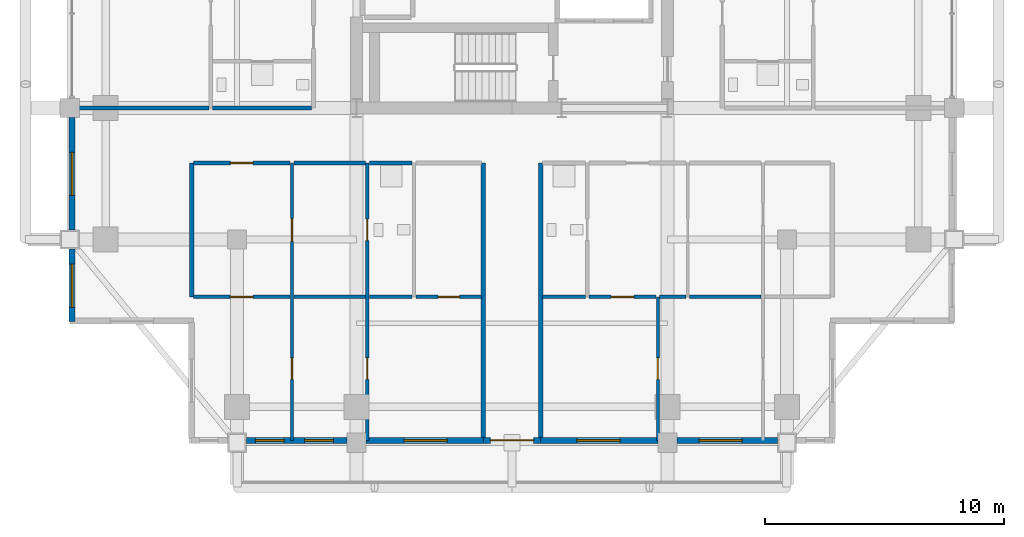
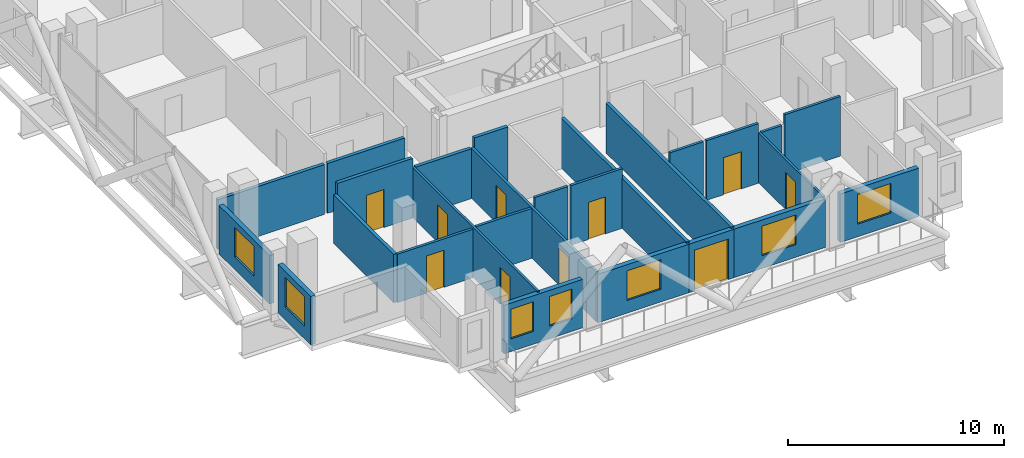
# One storey, part 16 of 23: 26 walls, 10 doors, 7 windows, 17 openings.
"""IFC4 building model written with IfcOpenShell, lengths in metres."""

import ifcopenshell
import ifcopenshell.guid

model = None  # the IFC model being written
_history = None  # IfcOwnerHistory: only IFC2X3 demands one
_inside = {}  # id of a spatial element -> (the spatial element, [elements in it])
_under = {}  # id of a project, library or spatial element -> (it, [spatial elements below it])
_declared = {}  # id of a project -> (the project, [libraries it declares])
_typed = {}  # id of a type object -> (the type object, [elements of that type])
_made_of = {}  # id of a material, layer set ... -> (it, [elements and type objects made of it])


def new_model(schema):
    """Start an empty IFC model of exactly this schema.

    Asked for "IFC4X3", IfcOpenShell would pick the latest addendum, in which some entities
    have other attributes; the version numbers below select the first issue.
    IFC2X3 requires an IfcOwnerHistory on every rooted entity: one is made here for all.
    """
    global model, _history
    if schema == "IFC4X3":
        model = ifcopenshell.file(schema_version=(4, 3, 0, 0))
    else:
        model = ifcopenshell.file(schema=schema)
    _inside.clear()
    _under.clear()
    _declared.clear()
    _typed.clear()
    _made_of.clear()
    _history = None
    if model.schema == "IFC2X3":
        org = make("IfcOrganization", Name="unknown")
        user = make(
            "IfcPersonAndOrganization",
            ThePerson=make("IfcPerson", FamilyName="unknown"),
            TheOrganization=org,
        )
        app = make(
            "IfcApplication",
            ApplicationDeveloper=org,
            Version="unknown",
            ApplicationFullName="unknown",
            ApplicationIdentifier="unknown",
        )
        _history = make(
            "IfcOwnerHistory",
            OwningUser=user,
            OwningApplication=app,
            ChangeAction="ADDED",
            CreationDate=0,
        )
    return model


def make(cls, **values):
    """One entity of the class cls with the attributes given. An attribute that is None is left unset."""
    return model.create_entity(
        cls, **{name: value for name, value in values.items() if value is not None}
    )


def rooted(cls, **values):
    """An entity with a GlobalId (a new one), such as an element, a storey or a relation."""
    return make(cls, GlobalId=ifcopenshell.guid.new(), OwnerHistory=_history, **values)


def si_unit(unit_type, name, prefix=None):
    """IfcSIUnit, for example si_unit("LENGTHUNIT", "METRE", prefix="MILLI")."""
    return make("IfcSIUnit", UnitType=unit_type, Prefix=prefix, Name=name)


def assignment(units):
    """IfcUnitAssignment: the units of a project."""
    return None if units is None else make("IfcUnitAssignment", Units=units)


def point(xyz):
    """IfcCartesianPoint."""
    return None if xyz is None else make("IfcCartesianPoint", Coordinates=xyz)


def direction(xyz):
    """IfcDirection."""
    return None if xyz is None else make("IfcDirection", DirectionRatios=xyz)


def frame(location, z_axis=None, x_axis=None):
    """IfcAxis2Placement3D, a coordinate frame: its origin and axes. An axis left out is left unset."""
    return make(
        "IfcAxis2Placement3D",
        Location=point(location),
        Axis=direction(z_axis),
        RefDirection=direction(x_axis),
    )


def frame_2d(location, x_axis=None):
    """IfcAxis2Placement2D, a coordinate frame in the plane: its origin and x axis."""
    return make(
        "IfcAxis2Placement2D", Location=point(location), RefDirection=direction(x_axis)
    )


def origin():
    """The frame at (0, 0, 0) with its axes left unset."""
    return frame((0.0, 0.0, 0.0))


def place(relative_to, where):
    """IfcLocalPlacement: puts the frame where relative to a parent placement (None: the world)."""
    return make(
        "IfcLocalPlacement", PlacementRelTo=relative_to, RelativePlacement=where
    )


def context(
    kind, dimensions, precision=None, world=None, true_north=None, identifier=None
):
    """IfcGeometricRepresentationContext, for example the 3D "Model" context."""
    return make(
        "IfcGeometricRepresentationContext",
        ContextIdentifier=identifier,
        ContextType=kind,
        CoordinateSpaceDimension=dimensions,
        Precision=precision,
        WorldCoordinateSystem=world,
        TrueNorth=true_north,
    )


def subcontext(parent, identifier, kind, view, scale=None):
    """IfcGeometricRepresentationSubContext, for example "Body" below "Model"."""
    return make(
        "IfcGeometricRepresentationSubContext",
        ContextIdentifier=identifier,
        ContextType=kind,
        ParentContext=parent,
        TargetScale=scale,
        TargetView=view,
    )


def project(units=None, contexts=None):
    """IfcProject with its units and contexts."""
    return rooted(
        "IfcProject",
        Name="project",
        RepresentationContexts=contexts,
        UnitsInContext=assignment(units),
    )


def spatial(cls, under=None, at=None, **own):
    """A site, building, storey or space (cls), placed at a placement, below another one or the project."""
    s = rooted(cls, ObjectPlacement=at, **own)
    if under is not None:
        _under.setdefault(under.id(), (under, []))[1].append(s)
    return s


def profile(cls, at=None, kind="AREA", **sizes):
    """A parametric profile (cls). Its sizes go by their IFC names, for example OverallWidth=200.0."""
    return make(cls, ProfileType=kind, Position=at, **sizes)


def rectangle(**sizes):
    """IfcRectangleProfileDef."""
    return profile("IfcRectangleProfileDef", **sizes)


def extrude(swept, where, along, depth):
    """IfcExtrudedAreaSolid: the profile swept, set in the frame where, extruded along a direction by depth."""
    return make(
        "IfcExtrudedAreaSolid",
        SweptArea=swept,
        Position=where,
        ExtrudedDirection=direction(along),
        Depth=depth,
    )


def shape(context_of_items, identifier, shape_type, items):
    """IfcShapeRepresentation: the items that make up one representation, for example the "Body"."""
    return make(
        "IfcShapeRepresentation",
        ContextOfItems=context_of_items,
        RepresentationIdentifier=identifier,
        RepresentationType=shape_type,
        Items=items,
    )


def material(Name=None, Category=None):
    """IfcMaterial."""
    return make("IfcMaterial", Name=Name, Category=Category)


def layer(
    of_material, thickness, ventilated=None, Name=None, Category=None, Priority=None
):
    """IfcMaterialLayer: one layer of a wall or slab, of a material (None: an air gap)."""
    return make(
        "IfcMaterialLayer",
        Material=of_material,
        LayerThickness=thickness,
        IsVentilated=ventilated,
        Name=Name,
        Category=Category,
        Priority=Priority,
    )


def layer_set(layers, Name=None):
    """IfcMaterialLayerSet."""
    return make("IfcMaterialLayerSet", MaterialLayers=layers, LayerSetName=Name)


def made_of(thing, what):
    """Note that an element or type object is made of a material, layer set ...; save() writes the relation."""
    if what is not None:
        _made_of.setdefault(what.id(), (what, []))[1].append(thing)
    return thing


def type_object(cls, material=None, **own):
    """A type object (cls), such as IfcWallType, which elements share."""
    return made_of(rooted(cls, **own), material)


def element(
    cls,
    number,
    at=None,
    inside=None,
    cuts=None,
    type_object=None,
    material=None,
    context=None,
    identifier="Body",
    shape_type=None,
    held_by="IfcProductDefinitionShape",
    body=None,
    shapes=None,
    **own,
):
    """One element of the class cls, such as IfcWall. Its Tag is "e" and its number.

    at: its placement. inside: the storey or other place that contains it. cuts: it is an
    opening in that element (IfcRelVoidsElement). A single representation is given by context,
    identifier, shape_type and body (its items); several are given by shapes. held_by: the class
    of the entity that holds the representations. save() writes the other relations.
    """
    e = rooted(cls, Tag="e%d" % number, ObjectPlacement=at, **own)
    if body is not None:
        shapes = [shape(context, identifier, shape_type, body)]
    if shapes is not None:
        e.Representation = make(held_by, Representations=shapes)
    if inside is not None:
        _inside.setdefault(inside.id(), (inside, []))[1].append(e)
    if cuts is not None:
        rooted(
            "IfcRelVoidsElement", RelatingBuildingElement=cuts, RelatedOpeningElement=e
        )
    if type_object is not None:
        _typed.setdefault(type_object.id(), (type_object, []))[1].append(e)
    return made_of(e, material)


def fill(opening, filler):
    """IfcRelFillsElement: the door or window that sits in an opening."""
    return rooted(
        "IfcRelFillsElement",
        RelatingOpeningElement=opening,
        RelatedBuildingElement=filler,
    )


def aggregate(whole, parts):
    """IfcRelAggregates: a whole, such as a stair, and the parts it consists of."""
    return rooted("IfcRelAggregates", RelatingObject=whole, RelatedObjects=parts)


def save(model, path):
    """Write the relations noted so far, then the file.

    IfcRelAggregates (storeys below a building ...), IfcRelContainedInSpatialStructure (elements
    in a storey), IfcRelDefinesByType, IfcRelAssociatesMaterial and IfcRelDeclares: one each for
    every whole, place, type object, material and project.
    """
    for whole, parts in _under.values():
        aggregate(whole, parts)
    for where, things in _inside.values():
        rooted(
            "IfcRelContainedInSpatialStructure",
            RelatedElements=things,
            RelatingStructure=where,
        )
    for kind, things in _typed.values():
        rooted("IfcRelDefinesByType", RelatedObjects=things, RelatingType=kind)
    for what, things in _made_of.values():
        rooted("IfcRelAssociatesMaterial", RelatedObjects=things, RelatingMaterial=what)
    for by, libraries in _declared.values():
        rooted("IfcRelDeclares", RelatingContext=by, RelatedDefinitions=libraries)
    model.write(path)


model = new_model("IFC4")

# Units and contexts
model_context = context("Model", 3, precision=1e-05, world=origin(), true_north=direction((0.0, 1.0)))
body_context = subcontext(model_context, "Body", "Model", "MODEL_VIEW")
ifc_project = project(units=[si_unit("LENGTHUNIT", "METRE"), si_unit("AREAUNIT", "SQUARE_METRE"), si_unit("VOLUMEUNIT", "CUBIC_METRE"), si_unit("PLANEANGLEUNIT", "RADIAN"), si_unit("MASSUNIT", "GRAM", prefix="KILO")], contexts=[model_context])

# Site, building, storey
site_placement = place(None, origin())
site = spatial("IfcSite", under=ifc_project, at=site_placement, CompositionType="ELEMENT")
building_placement = place(site_placement, origin())
building = spatial("IfcBuilding", under=site, at=building_placement, Name="Barlavira Tower and Art Museum", CompositionType="ELEMENT")
storey_placement = place(building_placement, frame((0.0, 0.0, 165.60009765625)))
storey = spatial("IfcBuildingStorey", under=building, at=storey_placement, Name="L42", CompositionType="ELEMENT", Elevation=165.60009765625)

# Wall, openings, doors
ifc_material_1 = material(Name="Gypsum acoustic stud partition", Category="gypsum")
ifc_layer_1 = layer(ifc_material_1, 0.1201171875, Name="Gypsum acoustic stud partition")
ifc_layer_set_1 = layer_set([ifc_layer_1], Name="Gypsum acoustic stud partition")
wall_type_1 = type_object("IfcWallType", Name="Apartment Internal Acoustic Partition 120", PredefinedType="PARTITIONING", material=ifc_layer_set_1)
wall_1_placement = place(storey_placement, frame((-9.199951171875, -21.39990234375, 0.0), z_axis=(0.0, 0.0, 1.0), x_axis=(0.0, 1.0, 0.0)))
wall_1 = element("IfcWall", 1, at=wall_1_placement, inside=storey, type_object=wall_type_1, Name="L42 Partition Wall 4", PredefinedType="PARTITIONING", context=body_context, shape_type="SweptSolid", body=[
    extrude(rectangle(XDim=11.599853515625, YDim=0.1201171875, at=frame_2d((5.7998046875, 0.0))), origin(), (0.0, 0.0, 1.0), 2.825927734375),
])
opening_1_placement = place(wall_1_placement, frame((8.324951171875, 0.0, 0.0)))
opening_1 = element("IfcOpeningElement", 2, at=opening_1_placement, cuts=wall_1, Name="Opening D-02", PredefinedType="OPENING", context=body_context, shape_type="SweptSolid", body=[
    extrude(rectangle(XDim=0.949951171875, YDim=2.10009765625, at=frame_2d((0.47509765625, 1.050048828125))), frame((0.0, 0.070068359375, 0.0), z_axis=(0.0, -1.0, 0.0), x_axis=(1.0, 0.0, 0.0)), (0.0, 0.0, 1.0), 0.14013671875),
])
opening_2_placement = place(wall_1_placement, frame((2.550048828125, 0.0, 0.0)))
opening_2 = element("IfcOpeningElement", 3, at=opening_2_placement, cuts=wall_1, Name="Opening D-01", PredefinedType="OPENING", context=body_context, shape_type="SweptSolid", body=[
    extrude(rectangle(XDim=0.89990234375, YDim=2.10009765625, at=frame_2d((0.449951171875, 1.050048828125))), frame((0.0, 0.070068359375, 0.0), z_axis=(0.0, -1.0, 0.0), x_axis=(1.0, 0.0, 0.0)), (0.0, 0.0, 1.0), 0.14013671875),
])
ifc_material_2 = material(Name="Engineered coastal hardwood", Category="wood")
door_type_1 = type_object("IfcDoorType", Name="Internal Bedroom Timber Flush Door 900x2100", OperationType="NOTDEFINED", PredefinedType="DOOR", material=ifc_material_2)
door_1_placement = place(opening_2_placement, origin())
door_1 = element("IfcDoor", 4, at=door_1_placement, inside=storey, type_object=door_type_1, Name="Apartment SW1 Bedroom 1 Door", OperationType="SINGLE_SWING_RIGHT", OverallHeight=2.10009765625, OverallWidth=0.89990234375, PredefinedType="DOOR", context=body_context, shape_type="SweptSolid", body=[
    extrude(rectangle(XDim=0.89990234375, YDim=2.10009765625, at=frame_2d((0.449951171875, 1.050048828125))), frame((0.0, 0.02490234375, 0.0), z_axis=(0.0, -1.0, 0.0), x_axis=(1.0, 0.0, 0.0)), (0.0, 0.0, 1.0), 0.050048828125),
])
fill(opening_2, door_1)
door_type_2 = type_object("IfcDoorType", Name="Living and Salon Glazed-Leaf Door 950x2100", OperationType="NOTDEFINED", PredefinedType="DOOR", material=ifc_material_2)
door_2_placement = place(opening_1_placement, origin())
door_2 = element("IfcDoor", 5, at=door_2_placement, inside=storey, type_object=door_type_2, Name="Apartment SW1 Kitchen Door", OperationType="SINGLE_SWING_RIGHT", OverallHeight=2.10009765625, OverallWidth=0.949951171875, PredefinedType="DOOR", context=body_context, shape_type="SweptSolid", body=[
    extrude(rectangle(XDim=0.949951171875, YDim=2.10009765625, at=frame_2d((0.47509765625, 1.050048828125))), frame((0.0, 0.02490234375, 0.0), z_axis=(0.0, -1.0, 0.0), x_axis=(1.0, 0.0, 0.0)), (0.0, 0.0, 1.0), 0.050048828125),
])
fill(opening_1, door_2)

# Wall, opening, door
wall_2_placement = place(storey_placement, frame((6.10009765625, -21.39990234375, 0.0), z_axis=(0.0, 0.0, 1.0), x_axis=(0.0, 1.0, 0.0)))
wall_2 = element("IfcWall", 6, at=wall_2_placement, inside=storey, type_object=wall_type_1, Name="L42 Partition Wall 20", PredefinedType="PARTITIONING", context=body_context, shape_type="SweptSolid", body=[
    extrude(rectangle(XDim=6.0, YDim=0.1201171875, at=frame_2d((3.0, 0.0))), origin(), (0.0, 0.0, 1.0), 2.825927734375),
])
opening_3_placement = place(wall_2_placement, frame((2.550048828125, 0.0, 0.0)))
opening_3 = element("IfcOpeningElement", 7, at=opening_3_placement, cuts=wall_2, Name="Opening D-01", PredefinedType="OPENING", context=body_context, shape_type="SweptSolid", body=[
    extrude(rectangle(XDim=0.89990234375, YDim=2.10009765625, at=frame_2d((0.449951171875, 1.050048828125))), frame((0.0, 0.070068359375, 0.0), z_axis=(0.0, -1.0, 0.0), x_axis=(1.0, 0.0, 0.0)), (0.0, 0.0, 1.0), 0.14013671875),
])
door_3_placement = place(opening_3_placement, origin())
door_3 = element("IfcDoor", 8, at=door_3_placement, inside=storey, type_object=door_type_1, Name="Apartment SE1 Bedroom 1 Door", OperationType="SINGLE_SWING_LEFT", OverallHeight=2.10009765625, OverallWidth=0.89990234375, PredefinedType="DOOR", context=body_context, shape_type="SweptSolid", body=[
    extrude(rectangle(XDim=0.89990234375, YDim=2.10009765625, at=frame_2d((0.449951171875, 1.050048828125))), frame((0.0, 0.02490234375, 0.0), z_axis=(0.0, -1.0, 0.0), x_axis=(1.0, 0.0, 0.0)), (0.0, 0.0, 1.0), 0.050048828125),
])
fill(opening_3, door_3)

# Walls
ifc_layer_2 = layer(ifc_material_1, 0.179931640625, Name="Gypsum acoustic stud partition")
ifc_layer_set_2 = layer_set([ifc_layer_2], Name="Gypsum acoustic stud partition")
wall_type_2 = type_object("IfcWallType", Name="Inter-Tenancy Party Partition Wall 180", PredefinedType="PARTITIONING", material=ifc_layer_set_2)
wall_3_placement = place(storey_placement, frame((-13.39990234375, -15.39990234375, 0.0), z_axis=(0.0, 0.0, 1.0), x_axis=(0.0, 1.0, 0.0)))
element("IfcWall", 9, at=wall_3_placement, inside=storey, type_object=wall_type_2, Name="L42 Partition Wall 1", PredefinedType="PARTITIONING", context=body_context, shape_type="SweptSolid", body=[
    extrude(rectangle(XDim=5.599853515625, YDim=0.179931640625, at=frame_2d((2.7998046875, 0.0))), origin(), (0.0, 0.0, 1.0), 2.747802734375),
])
for number, where, z_axis, x_axis, name in (
    (10, (-1.199951171875, -21.39990234375, 0.0), (0.0, 0.0, 1.0), (0.0, 1.0, 0.0), "L42 Partition Wall 13"),
    (11, (1.199951171875, -21.39990234375, 0.0), (0.0, 0.0, 1.0), (0.0, 1.0, 0.0), "L42 Partition Wall 15"),
):
    element("IfcWall", number, at=place(storey_placement, frame(where, z_axis=z_axis, x_axis=x_axis)), inside=storey, type_object=wall_type_2, Name=name, PredefinedType="PARTITIONING", context=body_context, shape_type="SweptSolid", body=[
        extrude(rectangle(XDim=11.599853515625, YDim=0.179931640625, at=frame_2d((5.7998046875, 0.0))), origin(), (0.0, 0.0, 1.0), 2.825927734375),
    ])

# Wall, opening, door
wall_4_placement = place(storey_placement, frame((-13.320068359375, -9.800048828125, 0.0), z_axis=(0.0, 0.0, 1.0), x_axis=(1.0, 0.0, 0.0)))
wall_4 = element("IfcWall", 12, at=wall_4_placement, inside=storey, type_object=wall_type_2, Name="L42 Partition Wall 38", PredefinedType="PARTITIONING", context=body_context, shape_type="SweptSolid", body=[
    extrude(rectangle(XDim=4.0400390625, YDim=0.179931640625, at=frame_2d((2.02001953125, 0.0))), origin(), (0.0, 0.0, 1.0), 3.3798828125),
])
opening_4_placement = place(wall_4_placement, frame((1.544921875, 0.0, 0.0)))
opening_4 = element("IfcOpeningElement", 13, at=opening_4_placement, cuts=wall_4, Name="Opening FD-60", PredefinedType="OPENING", context=body_context, shape_type="SweptSolid", body=[
    extrude(rectangle(XDim=0.949951171875, YDim=2.14990234375, at=frame_2d((0.47509765625, 1.074951171875))), frame((0.0, 0.10009765625, 0.0), z_axis=(0.0, -1.0, 0.0), x_axis=(1.0, 0.0, 0.0)), (0.0, 0.0, 1.0), 0.199951171875),
])
ifc_material_3 = material(Name="Brushed stainless steel", Category="steel")
door_type_3 = type_object("IfcDoorType", Name="Apartment Entrance and Riser Fire Door 950x2150 FD60S", OperationType="NOTDEFINED", PredefinedType="DOOR", material=ifc_material_3)
door_4_placement = place(opening_4_placement, origin())
door_4 = element("IfcDoor", 14, at=door_4_placement, inside=storey, type_object=door_type_3, Name="Apartment Entrance Hall SW1 Door", OperationType="SINGLE_SWING_LEFT", OverallHeight=2.14990234375, OverallWidth=0.949951171875, PredefinedType="DOOR", context=body_context, shape_type="SweptSolid", body=[
    extrude(rectangle(XDim=0.949951171875, YDim=2.14990234375, at=frame_2d((0.47509765625, 1.074951171875))), frame((0.0, 0.02490234375, 0.0), z_axis=(0.0, -1.0, 0.0), x_axis=(1.0, 0.0, 0.0)), (0.0, 0.0, 1.0), 0.050048828125),
])
fill(opening_4, door_4)

# Walls
wall_5_placement = place(storey_placement, frame((-9.1201171875, -9.800048828125, 0.0), z_axis=(0.0, 0.0, 1.0), x_axis=(1.0, 0.0, 0.0)))
element("IfcWall", 15, at=wall_5_placement, inside=storey, type_object=wall_type_2, Name="L42 Partition Wall 39", PredefinedType="PARTITIONING", context=body_context, shape_type="SweptSolid", body=[
    extrude(rectangle(XDim=2.990234375, YDim=0.179931640625, at=frame_2d((1.4951171875, 0.0))), origin(), (0.0, 0.0, 1.0), 2.825927734375),
])
wall_6_placement = place(storey_placement, frame((-5.969970703125, -9.800048828125, 0.0), z_axis=(0.0, 0.0, 1.0), x_axis=(1.0, 0.0, 0.0)))
element("IfcWall", 16, at=wall_6_placement, inside=storey, type_object=wall_type_2, Name="L42 Partition Wall 40", PredefinedType="PARTITIONING", context=body_context, shape_type="SweptSolid", body=[
    extrude(rectangle(XDim=1.7900390625, YDim=0.179931640625, at=frame_2d((0.89501953125, 0.0))), origin(), (0.0, 0.0, 1.0), 3.3798828125),
])
wall_7_placement = place(storey_placement, frame((-18.39990234375, -7.5, 0.0), z_axis=(0.0, 0.0, 1.0), x_axis=(1.0, 0.0, 0.0)))
element("IfcWall", 17, at=wall_7_placement, inside=storey, type_object=wall_type_2, Name="L42 Partition Wall 46", PredefinedType="PARTITIONING", context=body_context, shape_type="SweptSolid", body=[
    extrude(rectangle(XDim=5.719970703125, YDim=0.179931640625, at=frame_2d((2.85986328125, 0.0))), origin(), (0.0, 0.0, 1.0), 2.825927734375),
])
wall_8_placement = place(storey_placement, frame((-12.52001953125, -7.5, 0.0), z_axis=(0.0, 0.0, 1.0), x_axis=(1.0, 0.0, 0.0)))
element("IfcWall", 18, at=wall_8_placement, inside=storey, type_object=wall_type_2, Name="L42 Partition Wall 47", PredefinedType="PARTITIONING", context=body_context, shape_type="SweptSolid", body=[
    extrude(rectangle(XDim=4.14013671875, YDim=0.179931640625, at=frame_2d((2.070068359375, 0.0))), origin(), (0.0, 0.0, 1.0), 2.825927734375),
])

# Wall, openings, doors
ifc_layer_3 = layer(ifc_material_1, 0.139892578125, Name="Gypsum acoustic stud partition")
ifc_layer_set_3 = layer_set([ifc_layer_3], Name="Gypsum acoustic stud partition")
wall_type_3 = type_object("IfcWallType", Name="Moisture-Resistant Bathroom Partition 140", PredefinedType="PARTITIONING", material=ifc_layer_set_3)
wall_9_placement = place(storey_placement, frame((-6.050048828125, -21.39990234375, 0.0), z_axis=(0.0, 0.0, 1.0), x_axis=(0.0, 1.0, 0.0)))
wall_9 = element("IfcWall", 19, at=wall_9_placement, inside=storey, type_object=wall_type_3, Name="L42 Partition Wall 8", PredefinedType="PARTITIONING", context=body_context, shape_type="SweptSolid", body=[
    extrude(rectangle(XDim=11.599853515625, YDim=0.139892578125, at=frame_2d((5.7998046875, 0.0))), origin(), (0.0, 0.0, 1.0), 2.825927734375),
])
opening_5_placement = place(wall_9_placement, frame((8.35009765625, 0.0, 0.0)))
opening_5 = element("IfcOpeningElement", 20, at=opening_5_placement, cuts=wall_9, Name="Opening D-WC", PredefinedType="OPENING", context=body_context, shape_type="SweptSolid", body=[
    extrude(rectangle(XDim=0.89990234375, YDim=2.10009765625, at=frame_2d((0.449951171875, 1.050048828125))), frame((0.0, 0.080078125, 0.0), z_axis=(0.0, -1.0, 0.0), x_axis=(1.0, 0.0, 0.0)), (0.0, 0.0, 1.0), 0.159912109375),
])
opening_6_placement = place(wall_9_placement, frame((2.550048828125, 0.0, 0.0)))
opening_6 = element("IfcOpeningElement", 21, at=opening_6_placement, cuts=wall_9, Name="Opening D-01", PredefinedType="OPENING", context=body_context, shape_type="SweptSolid", body=[
    extrude(rectangle(XDim=0.89990234375, YDim=2.10009765625, at=frame_2d((0.449951171875, 1.050048828125))), frame((0.0, 0.080078125, 0.0), z_axis=(0.0, -1.0, 0.0), x_axis=(1.0, 0.0, 0.0)), (0.0, 0.0, 1.0), 0.159912109375),
])
door_type_4 = type_object("IfcDoorType", Name="Accessible Bathroom Flush Door 900x2100", OperationType="NOTDEFINED", PredefinedType="DOOR", material=ifc_material_2)
door_5_placement = place(opening_5_placement, origin())
door_5 = element("IfcDoor", 22, at=door_5_placement, inside=storey, type_object=door_type_4, Name="Apartment SW1 Hall Bathroom Door", OperationType="SINGLE_SWING_LEFT", OverallHeight=2.10009765625, OverallWidth=0.89990234375, PredefinedType="DOOR", context=body_context, shape_type="SweptSolid", body=[
    extrude(rectangle(XDim=0.89990234375, YDim=2.10009765625, at=frame_2d((0.449951171875, 1.050048828125))), frame((0.0, 0.02490234375, 0.0), z_axis=(0.0, -1.0, 0.0), x_axis=(1.0, 0.0, 0.0)), (0.0, 0.0, 1.0), 0.050048828125),
])
fill(opening_5, door_5)
door_6_placement = place(opening_6_placement, origin())
door_6 = element("IfcDoor", 23, at=door_6_placement, inside=storey, type_object=door_type_1, Name="Apartment SW1 Bedroom 2 Door", OperationType="SINGLE_SWING_LEFT", OverallHeight=2.10009765625, OverallWidth=0.89990234375, PredefinedType="DOOR", context=body_context, shape_type="SweptSolid", body=[
    extrude(rectangle(XDim=0.89990234375, YDim=2.10009765625, at=frame_2d((0.449951171875, 1.050048828125))), frame((0.0, 0.02490234375, 0.0), z_axis=(0.0, -1.0, 0.0), x_axis=(1.0, 0.0, 0.0)), (0.0, 0.0, 1.0), 0.050048828125),
])
fill(opening_6, door_6)

# Wall, opening, door
wall_10_placement = place(storey_placement, frame((-13.320068359375, -15.39990234375, 0.0), z_axis=(0.0, 0.0, 1.0), x_axis=(1.0, 0.0, 0.0)))
wall_10 = element("IfcWall", 24, at=wall_10_placement, inside=storey, type_object=wall_type_3, Name="L42 Partition Wall 29", PredefinedType="PARTITIONING", context=body_context, shape_type="SweptSolid", body=[
    extrude(rectangle(XDim=4.0400390625, YDim=0.139892578125, at=frame_2d((2.02001953125, 0.0))), origin(), (0.0, 0.0, 1.0), 2.747802734375),
])
opening_7_placement = place(wall_10_placement, frame((1.544921875, 0.0, 0.0)))
opening_7 = element("IfcOpeningElement", 25, at=opening_7_placement, cuts=wall_10, Name="Opening D-02", PredefinedType="OPENING", context=body_context, shape_type="SweptSolid", body=[
    extrude(rectangle(XDim=0.949951171875, YDim=2.10009765625, at=frame_2d((0.47509765625, 1.050048828125))), frame((0.0, 0.080078125, 0.0), z_axis=(0.0, -1.0, 0.0), x_axis=(1.0, 0.0, 0.0)), (0.0, 0.0, 1.0), 0.159912109375),
])
door_7_placement = place(opening_7_placement, origin())
door_7 = element("IfcDoor", 26, at=door_7_placement, inside=storey, type_object=door_type_2, Name="Apartment SW1 Living Lounge Door", OperationType="SINGLE_SWING_LEFT", OverallHeight=2.10009765625, OverallWidth=0.949951171875, PredefinedType="DOOR", context=body_context, shape_type="SweptSolid", body=[
    extrude(rectangle(XDim=0.949951171875, YDim=2.10009765625, at=frame_2d((0.47509765625, 1.050048828125))), frame((0.0, 0.02490234375, 0.0), z_axis=(0.0, -1.0, 0.0), x_axis=(1.0, 0.0, 0.0)), (0.0, 0.0, 1.0), 0.050048828125),
])
fill(opening_7, door_7)

# Walls
wall_11_placement = place(storey_placement, frame((-9.1201171875, -15.39990234375, 0.0), z_axis=(0.0, 0.0, 1.0), x_axis=(1.0, 0.0, 0.0)))
element("IfcWall", 27, at=wall_11_placement, inside=storey, type_object=wall_type_3, Name="L42 Partition Wall 30", PredefinedType="PARTITIONING", context=body_context, shape_type="SweptSolid", body=[
    extrude(rectangle(XDim=2.990234375, YDim=0.139892578125, at=frame_2d((1.4951171875, 0.0))), origin(), (0.0, 0.0, 1.0), 2.825927734375),
])
wall_12_placement = place(storey_placement, frame((-5.969970703125, -15.39990234375, 0.0), z_axis=(0.0, 0.0, 1.0), x_axis=(1.0, 0.0, 0.0)))
element("IfcWall", 28, at=wall_12_placement, inside=storey, type_object=wall_type_3, Name="L42 Partition Wall 31", PredefinedType="PARTITIONING", context=body_context, shape_type="SweptSolid", body=[
    extrude(rectangle(XDim=1.7900390625, YDim=0.139892578125, at=frame_2d((0.89501953125, 0.0))), origin(), (0.0, 0.0, 1.0), 3.3798828125),
])

# Wall, opening, door
wall_13_placement = place(storey_placement, frame((-4.02001953125, -15.39990234375, 0.0), z_axis=(0.0, 0.0, 1.0), x_axis=(1.0, 0.0, 0.0)))
wall_13 = element("IfcWall", 29, at=wall_13_placement, inside=storey, type_object=wall_type_3, Name="L42 Partition Wall 32", PredefinedType="PARTITIONING", context=body_context, shape_type="SweptSolid", body=[
    extrude(rectangle(XDim=2.739990234375, YDim=0.139892578125, at=frame_2d((1.3701171875, 0.0))), origin(), (0.0, 0.0, 1.0), 3.3798828125),
])
opening_8_placement = place(wall_13_placement, frame((0.929931640625, 0.0, 0.0)))
opening_8 = element("IfcOpeningElement", 30, at=opening_8_placement, cuts=wall_13, Name="Opening D-01", PredefinedType="OPENING", context=body_context, shape_type="SweptSolid", body=[
    extrude(rectangle(XDim=0.89990234375, YDim=2.10009765625, at=frame_2d((0.449951171875, 1.050048828125))), frame((0.0, 0.080078125, 0.0), z_axis=(0.0, -1.0, 0.0), x_axis=(1.0, 0.0, 0.0)), (0.0, 0.0, 1.0), 0.159912109375),
])
door_8_placement = place(opening_8_placement, origin())
door_8 = element("IfcDoor", 31, at=door_8_placement, inside=storey, type_object=door_type_1, Name="Apartment SW1 Walk-In Dressing Room Door", OperationType="SINGLE_SWING_RIGHT", OverallHeight=2.10009765625, OverallWidth=0.89990234375, PredefinedType="DOOR", context=body_context, shape_type="SweptSolid", body=[
    extrude(rectangle(XDim=0.89990234375, YDim=2.10009765625, at=frame_2d((0.449951171875, 1.050048828125))), frame((0.0, 0.02490234375, 0.0), z_axis=(0.0, -1.0, 0.0), x_axis=(1.0, 0.0, 0.0)), (0.0, 0.0, 1.0), 0.050048828125),
])
fill(opening_8, door_8)

# Wall
wall_14_placement = place(storey_placement, frame((1.280029296875, -15.39990234375, 0.0), z_axis=(0.0, 0.0, 1.0), x_axis=(1.0, 0.0, 0.0)))
element("IfcWall", 32, at=wall_14_placement, inside=storey, type_object=wall_type_3, Name="L42 Partition Wall 33", PredefinedType="PARTITIONING", context=body_context, shape_type="SweptSolid", body=[
    extrude(rectangle(XDim=1.7900390625, YDim=0.139892578125, at=frame_2d((0.89501953125, 0.0))), origin(), (0.0, 0.0, 1.0), 3.3798828125),
])

# Wall, opening, door
wall_15_placement = place(storey_placement, frame((3.22998046875, -15.39990234375, 0.0), z_axis=(0.0, 0.0, 1.0), x_axis=(1.0, 0.0, 0.0)))
wall_15 = element("IfcWall", 33, at=wall_15_placement, inside=storey, type_object=wall_type_3, Name="L42 Partition Wall 34", PredefinedType="PARTITIONING", context=body_context, shape_type="SweptSolid", body=[
    extrude(rectangle(XDim=2.7900390625, YDim=0.139892578125, at=frame_2d((1.39501953125, 0.0))), origin(), (0.0, 0.0, 1.0), 3.3798828125),
])
opening_9_placement = place(wall_15_placement, frame((0.9150390625, 0.0, 0.0)))
opening_9 = element("IfcOpeningElement", 34, at=opening_9_placement, cuts=wall_15, Name="Opening D-02", PredefinedType="OPENING", context=body_context, shape_type="SweptSolid", body=[
    extrude(rectangle(XDim=0.949951171875, YDim=2.10009765625, at=frame_2d((0.47509765625, 1.050048828125))), frame((0.0, 0.080078125, 0.0), z_axis=(0.0, -1.0, 0.0), x_axis=(1.0, 0.0, 0.0)), (0.0, 0.0, 1.0), 0.159912109375),
])
door_9_placement = place(opening_9_placement, origin())
door_9 = element("IfcDoor", 35, at=door_9_placement, inside=storey, type_object=door_type_2, Name="Apartment SE1 Living Lounge Door", OperationType="SINGLE_SWING_RIGHT", OverallHeight=2.10009765625, OverallWidth=0.949951171875, PredefinedType="DOOR", context=body_context, shape_type="SweptSolid", body=[
    extrude(rectangle(XDim=0.949951171875, YDim=2.10009765625, at=frame_2d((0.47509765625, 1.050048828125))), frame((0.0, 0.02490234375, 0.0), z_axis=(0.0, -1.0, 0.0), x_axis=(1.0, 0.0, 0.0)), (0.0, 0.0, 1.0), 0.050048828125),
])
fill(opening_9, door_9)

# Walls
wall_16_placement = place(storey_placement, frame((6.179931640625, -15.39990234375, 0.0), z_axis=(0.0, 0.0, 1.0), x_axis=(1.0, 0.0, 0.0)))
element("IfcWall", 36, at=wall_16_placement, inside=storey, type_object=wall_type_3, Name="L42 Partition Wall 35", PredefinedType="PARTITIONING", context=body_context, shape_type="SweptSolid", body=[
    extrude(rectangle(XDim=1.090087890625, YDim=0.139892578125, at=frame_2d((0.544921875, 0.0))), origin(), (0.0, 0.0, 1.0), 2.825927734375),
])
wall_17_placement = place(storey_placement, frame((7.429931640625, -15.39990234375, 0.0), z_axis=(0.0, 0.0, 1.0), x_axis=(1.0, 0.0, 0.0)))
element("IfcWall", 37, at=wall_17_placement, inside=storey, type_object=wall_type_3, Name="L42 Partition Wall 36", PredefinedType="PARTITIONING", context=body_context, shape_type="SweptSolid", body=[
    extrude(rectangle(XDim=2.989990234375, YDim=0.139892578125, at=frame_2d((1.4951171875, 0.0))), origin(), (0.0, 0.0, 1.0), 3.3798828125),
])

# Wall, openings, windows
ifc_material_4 = material(Name="Precast concrete C40", Category="concrete")
ifc_layer_4 = layer(ifc_material_4, 0.25, Name="Precast concrete C40")
ifc_layer_set_4 = layer_set([ifc_layer_4], Name="Precast concrete C40")
wall_type_4 = type_object("IfcWallType", Name="Notched Corner Spandrel Wall 250 Precast Concrete C40", PredefinedType="SOLIDWALL", material=ifc_layer_set_4)
wall_18_placement = place(storey_placement, frame((-11.10498046875, -21.39990234375, 0.0), z_axis=(0.0, 0.0, 1.0), x_axis=(1.0, 0.0, 0.0)))
wall_18 = element("IfcWall", 38, at=wall_18_placement, inside=storey, type_object=wall_type_4, Name="L42 Coastal Facade Pier Wall CW3-L42-SL-2", PredefinedType="SOLIDWALL", context=body_context, shape_type="SweptSolid", body=[
    extrude(rectangle(XDim=4.2099609375, YDim=0.25, at=frame_2d((2.10498046875, 0.0))), origin(), (0.0, 0.0, 1.0), 2.747802734375),
])
opening_10_placement = place(wall_18_placement, frame((0.375, 0.0, 0.719970703125)))
opening_10 = element("IfcOpeningElement", 39, at=opening_10_placement, cuts=wall_18, Name="Opening WN-05", PredefinedType="OPENING", context=body_context, shape_type="SweptSolid", body=[
    extrude(rectangle(XDim=1.199951171875, YDim=1.679931640625, at=frame_2d((0.60009765625, 0.83984375))), frame((0.0, 0.135009765625, 0.0), z_axis=(0.0, -1.0, 0.0), x_axis=(1.0, 0.0, 0.0)), (0.0, 0.0, 1.0), 0.27001953125),
])
opening_11_placement = place(wall_18_placement, frame((2.43505859375, 0.0, 0.719970703125)))
opening_11 = element("IfcOpeningElement", 40, at=opening_11_placement, cuts=wall_18, Name="Opening WN-05", PredefinedType="OPENING", context=body_context, shape_type="SweptSolid", body=[
    extrude(rectangle(XDim=1.199951171875, YDim=1.679931640625, at=frame_2d((0.60009765625, 0.83984375))), frame((0.0, 0.135009765625, 0.0), z_axis=(0.0, -1.0, 0.0), x_axis=(1.0, 0.0, 0.0)), (0.0, 0.0, 1.0), 0.27001953125),
])
ifc_material_5 = material(Name="Low-iron coastal laminated glass", Category="glass")
window_type_1 = type_object("IfcWindowType", Name="Recessed Flank Pier Punch Window 1200x1680", PartitioningType="SINGLE_PANEL", PredefinedType="WINDOW", material=ifc_material_5)
window_1_placement = place(opening_10_placement, origin())
window_1 = element("IfcWindow", 41, at=window_1_placement, inside=storey, type_object=window_type_1, Name="L42 Punched Facade Window EWP-CW3-L42-SL-2-1", OverallHeight=1.679931640625, OverallWidth=1.199951171875, PartitioningType="SINGLE_PANEL", PredefinedType="WINDOW", context=body_context, shape_type="SweptSolid", body=[
    extrude(rectangle(XDim=1.199951171875, YDim=1.679931640625, at=frame_2d((0.60009765625, 0.83984375))), frame((0.0, 0.030029296875, 0.0), z_axis=(0.0, -1.0, 0.0), x_axis=(1.0, 0.0, 0.0)), (0.0, 0.0, 1.0), 0.06005859375),
])
fill(opening_10, window_1)
window_2_placement = place(opening_11_placement, origin())
window_2 = element("IfcWindow", 42, at=window_2_placement, inside=storey, type_object=window_type_1, Name="L42 Punched Facade Window EWP-CW3-L42-SL-2-2", OverallHeight=1.679931640625, OverallWidth=1.199951171875, PartitioningType="SINGLE_PANEL", PredefinedType="WINDOW", context=body_context, shape_type="SweptSolid", body=[
    extrude(rectangle(XDim=1.199951171875, YDim=1.679931640625, at=frame_2d((0.60009765625, 0.83984375))), frame((0.0, 0.030029296875, 0.0), z_axis=(0.0, -1.0, 0.0), x_axis=(1.0, 0.0, 0.0)), (0.0, 0.0, 1.0), 0.06005859375),
])
fill(opening_11, window_2)

# Wall, opening, window
wall_19_placement = place(storey_placement, frame((-6.10498046875, -21.39990234375, 0.0), z_axis=(0.0, 0.0, 1.0), x_axis=(1.0, 0.0, 0.0)))
wall_19 = element("IfcWall", 43, at=wall_19_placement, inside=storey, type_object=wall_type_4, Name="L42 Coastal Facade Pier Wall CW3-L42-SL-3", PredefinedType="SOLIDWALL", context=body_context, shape_type="SweptSolid", body=[
    extrude(rectangle(XDim=4.929931640625, YDim=0.25, at=frame_2d((2.46484375, 0.0))), origin(), (0.0, 0.0, 1.0), 2.747802734375),
])
opening_12_placement = place(wall_19_placement, frame((1.587890625, 0.0, 0.719970703125)))
opening_12 = element("IfcOpeningElement", 44, at=opening_12_placement, cuts=wall_19, Name="Opening WN-01", PredefinedType="OPENING", context=body_context, shape_type="SweptSolid", body=[
    extrude(rectangle(XDim=1.800048828125, YDim=1.679931640625, at=frame_2d((0.89990234375, 0.83984375))), frame((0.0, 0.135009765625, 0.0), z_axis=(0.0, -1.0, 0.0), x_axis=(1.0, 0.0, 0.0)), (0.0, 0.0, 1.0), 0.27001953125),
])
window_type_2 = type_object("IfcWindowType", Name="Recessed Notch Corner Punch Window 1800x1680", PartitioningType="SINGLE_PANEL", PredefinedType="WINDOW", material=ifc_material_5)
window_3_placement = place(opening_12_placement, origin())
window_3 = element("IfcWindow", 45, at=window_3_placement, inside=storey, type_object=window_type_2, Name="L42 Punched Facade Window EWP-CW3-L42-SL-3-1", OverallHeight=1.679931640625, OverallWidth=1.800048828125, PartitioningType="SINGLE_PANEL", PredefinedType="WINDOW", context=body_context, shape_type="SweptSolid", body=[
    extrude(rectangle(XDim=1.800048828125, YDim=1.679931640625, at=frame_2d((0.89990234375, 0.83984375))), frame((0.0, 0.030029296875, 0.0), z_axis=(0.0, -1.0, 0.0), x_axis=(1.0, 0.0, 0.0)), (0.0, 0.0, 1.0), 0.06005859375),
])
fill(opening_12, window_3)

wall_20_placement = place(storey_placement, frame((1.175048828125, -21.39990234375, 0.0), z_axis=(0.0, 0.0, 1.0), x_axis=(1.0, 0.0, 0.0)))
wall_20 = element("IfcWall", 46, at=wall_20_placement, inside=storey, type_object=wall_type_4, Name="L42 Coastal Facade Pier Wall CW3-L42-SR-1", PredefinedType="SOLIDWALL", context=body_context, shape_type="SweptSolid", body=[
    extrude(rectangle(XDim=4.929931640625, YDim=0.25, at=frame_2d((2.46484375, 0.0))), origin(), (0.0, 0.0, 1.0), 2.747802734375),
])
opening_13_placement = place(wall_20_placement, frame((1.54296875, 0.0, 0.719970703125)))
opening_13 = element("IfcOpeningElement", 47, at=opening_13_placement, cuts=wall_20, Name="Opening WN-01", PredefinedType="OPENING", context=body_context, shape_type="SweptSolid", body=[
    extrude(rectangle(XDim=1.800048828125, YDim=1.679931640625, at=frame_2d((0.89990234375, 0.83984375))), frame((0.0, 0.135009765625, 0.0), z_axis=(0.0, -1.0, 0.0), x_axis=(1.0, 0.0, 0.0)), (0.0, 0.0, 1.0), 0.27001953125),
])
window_4_placement = place(opening_13_placement, origin())
window_4 = element("IfcWindow", 48, at=window_4_placement, inside=storey, type_object=window_type_2, Name="L42 Punched Facade Window EWP-CW3-L42-SR-1-1", OverallHeight=1.679931640625, OverallWidth=1.800048828125, PartitioningType="SINGLE_PANEL", PredefinedType="WINDOW", context=body_context, shape_type="SweptSolid", body=[
    extrude(rectangle(XDim=1.800048828125, YDim=1.679931640625, at=frame_2d((0.89990234375, 0.83984375))), frame((0.0, 0.030029296875, 0.0), z_axis=(0.0, -1.0, 0.0), x_axis=(1.0, 0.0, 0.0)), (0.0, 0.0, 1.0), 0.06005859375),
])
fill(opening_13, window_4)

wall_21_placement = place(storey_placement, frame((6.89501953125, -21.39990234375, 0.0), z_axis=(0.0, 0.0, 1.0), x_axis=(1.0, 0.0, 0.0)))
wall_21 = element("IfcWall", 49, at=wall_21_placement, inside=storey, type_object=wall_type_4, Name="L42 Coastal Facade Pier Wall CW3-L42-SR-2", PredefinedType="SOLIDWALL", context=body_context, shape_type="SweptSolid", body=[
    extrude(rectangle(XDim=4.2099609375, YDim=0.25, at=frame_2d((2.10498046875, 0.0))), origin(), (0.0, 0.0, 1.0), 2.747802734375),
])
opening_14_placement = place(wall_21_placement, frame((0.93505859375, 0.0, 0.719970703125)))
opening_14 = element("IfcOpeningElement", 50, at=opening_14_placement, cuts=wall_21, Name="Opening WN-01", PredefinedType="OPENING", context=body_context, shape_type="SweptSolid", body=[
    extrude(rectangle(XDim=1.800048828125, YDim=1.679931640625, at=frame_2d((0.89990234375, 0.83984375))), frame((0.0, 0.135009765625, 0.0), z_axis=(0.0, -1.0, 0.0), x_axis=(1.0, 0.0, 0.0)), (0.0, 0.0, 1.0), 0.27001953125),
])
window_5_placement = place(opening_14_placement, origin())
window_5 = element("IfcWindow", 51, at=window_5_placement, inside=storey, type_object=window_type_2, Name="L42 Punched Facade Window EWP-CW3-L42-SR-2-1", OverallHeight=1.679931640625, OverallWidth=1.800048828125, PartitioningType="SINGLE_PANEL", PredefinedType="WINDOW", context=body_context, shape_type="SweptSolid", body=[
    extrude(rectangle(XDim=1.800048828125, YDim=1.679931640625, at=frame_2d((0.89990234375, 0.83984375))), frame((0.0, 0.030029296875, 0.0), z_axis=(0.0, -1.0, 0.0), x_axis=(1.0, 0.0, 0.0)), (0.0, 0.0, 1.0), 0.06005859375),
])
fill(opening_14, window_5)

# Wall, opening, door
wall_22_placement = place(storey_placement, frame((1.199951171875, -21.39990234375, 0.0), z_axis=(0.0, 0.0, 1.0), x_axis=(-1.0, 0.0, 0.0)))
wall_22 = element("IfcWall", 52, at=wall_22_placement, inside=storey, type_object=wall_type_4, Name="L42 South Setback Terrace Door Wall", PredefinedType="SOLIDWALL", context=body_context, shape_type="SweptSolid", body=[
    extrude(rectangle(XDim=2.39990234375, YDim=0.25, at=frame_2d((1.199951171875, 0.0))), origin(), (0.0, 0.0, 1.0), 2.747802734375),
])
opening_15_placement = place(wall_22_placement, frame((0.300048828125, 0.0, 0.0)))
opening_15 = element("IfcOpeningElement", 53, at=opening_15_placement, cuts=wall_22, Name="Opening ED-03", PredefinedType="OPENING", context=body_context, shape_type="SweptSolid", body=[
    extrude(rectangle(XDim=1.800048828125, YDim=2.300048828125, at=frame_2d((0.89990234375, 1.14990234375))), frame((0.0, 0.135009765625, 0.0), z_axis=(0.0, -1.0, 0.0), x_axis=(1.0, 0.0, 0.0)), (0.0, 0.0, 1.0), 0.27001953125),
])
ifc_material_6 = material(Name="Pale anodised aluminium", Category="aluminium")
door_type_5 = type_object("IfcDoorType", Name="Terrace and Observation Deck Glazed Door 1800x2300", OperationType="NOTDEFINED", PredefinedType="DOOR", material=ifc_material_6)
door_10_placement = place(opening_15_placement, origin())
door_10 = element("IfcDoor", 54, at=door_10_placement, inside=storey, type_object=door_type_5, Name="L42 South Setback Terrace Access Door", OperationType="DOUBLE_DOOR_SINGLE_SWING", OverallHeight=2.300048828125, OverallWidth=1.800048828125, PredefinedType="DOOR", context=body_context, shape_type="SweptSolid", body=[
    extrude(rectangle(XDim=1.800048828125, YDim=2.300048828125, at=frame_2d((0.89990234375, 1.14990234375))), frame((0.0, 0.02490234375, 0.0), z_axis=(0.0, -1.0, 0.0), x_axis=(1.0, 0.0, 0.0)), (0.0, 0.0, 1.0), 0.050048828125),
])
fill(opening_15, door_10)

# Wall, opening, window
wall_23_placement = place(storey_placement, frame((-18.39990234375, -7.89501953125, 0.0), z_axis=(0.0, 0.0, 1.0), x_axis=(0.0, -1.0, 0.0)))
wall_23 = element("IfcWall", 55, at=wall_23_placement, inside=storey, type_object=wall_type_4, Name="L42 Coastal Facade Pier Wall CW3-L42-W-4", PredefinedType="SOLIDWALL", context=body_context, shape_type="SweptSolid", body=[
    extrude(rectangle(XDim=4.7099609375, YDim=0.25, at=frame_2d((2.35498046875, 0.0))), origin(), (0.0, 0.0, 1.0), 2.747802734375),
])
opening_16_placement = place(wall_23_placement, frame((1.455078125, 0.0, 0.719970703125)))
opening_16 = element("IfcOpeningElement", 56, at=opening_16_placement, cuts=wall_23, Name="Opening WN-01", PredefinedType="OPENING", context=body_context, shape_type="SweptSolid", body=[
    extrude(rectangle(XDim=1.800048828125, YDim=1.679931640625, at=frame_2d((0.89990234375, 0.83984375))), frame((0.0, 0.135009765625, 0.0), z_axis=(0.0, -1.0, 0.0), x_axis=(1.0, 0.0, 0.0)), (0.0, 0.0, 1.0), 0.27001953125),
])
window_6_placement = place(opening_16_placement, origin())
window_6 = element("IfcWindow", 57, at=window_6_placement, inside=storey, type_object=window_type_2, Name="L42 Punched Facade Window EWP-CW3-L42-W-4-1", OverallHeight=1.679931640625, OverallWidth=1.800048828125, PartitioningType="SINGLE_PANEL", PredefinedType="WINDOW", context=body_context, shape_type="SweptSolid", body=[
    extrude(rectangle(XDim=1.800048828125, YDim=1.679931640625, at=frame_2d((0.89990234375, 0.83984375))), frame((0.0, 0.030029296875, 0.0), z_axis=(0.0, -1.0, 0.0), x_axis=(1.0, 0.0, 0.0)), (0.0, 0.0, 1.0), 0.06005859375),
])
fill(opening_16, window_6)

wall_24_placement = place(storey_placement, frame((-18.39990234375, -13.39501953125, 0.0), z_axis=(0.0, 0.0, 1.0), x_axis=(0.0, -1.0, 0.0)))
wall_24 = element("IfcWall", 58, at=wall_24_placement, inside=storey, type_object=wall_type_4, Name="L42 Coastal Facade Pier Wall CW3-L42-W-5", PredefinedType="SOLIDWALL", context=body_context, shape_type="SweptSolid", body=[
    extrude(rectangle(XDim=3.030029296875, YDim=0.25, at=frame_2d((1.51513671875, 0.0))), origin(), (0.0, 0.0, 1.0), 2.747802734375),
])
opening_17_placement = place(wall_24_placement, frame((0.637939453125, 0.0, 0.719970703125)))
opening_17 = element("IfcOpeningElement", 59, at=opening_17_placement, cuts=wall_24, Name="Opening WN-01", PredefinedType="OPENING", context=body_context, shape_type="SweptSolid", body=[
    extrude(rectangle(XDim=1.800048828125, YDim=1.679931640625, at=frame_2d((0.89990234375, 0.83984375))), frame((0.0, 0.135009765625, 0.0), z_axis=(0.0, -1.0, 0.0), x_axis=(1.0, 0.0, 0.0)), (0.0, 0.0, 1.0), 0.27001953125),
])
window_7_placement = place(opening_17_placement, origin())
window_7 = element("IfcWindow", 60, at=window_7_placement, inside=storey, type_object=window_type_2, Name="L42 Punched Facade Window EWP-CW3-L42-W-5-1", OverallHeight=1.679931640625, OverallWidth=1.800048828125, PartitioningType="SINGLE_PANEL", PredefinedType="WINDOW", context=body_context, shape_type="SweptSolid", body=[
    extrude(rectangle(XDim=1.800048828125, YDim=1.679931640625, at=frame_2d((0.89990234375, 0.83984375))), frame((0.0, 0.030029296875, 0.0), z_axis=(0.0, -1.0, 0.0), x_axis=(1.0, 0.0, 0.0)), (0.0, 0.0, 1.0), 0.06005859375),
])
fill(opening_17, window_7)

save(model, "model.ifc")
